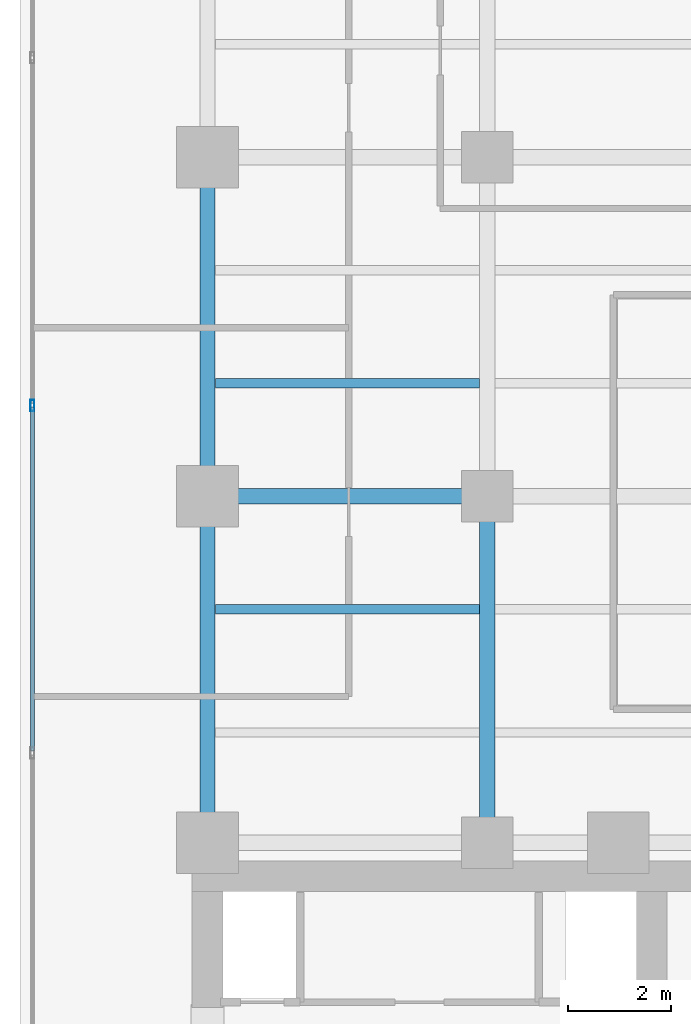
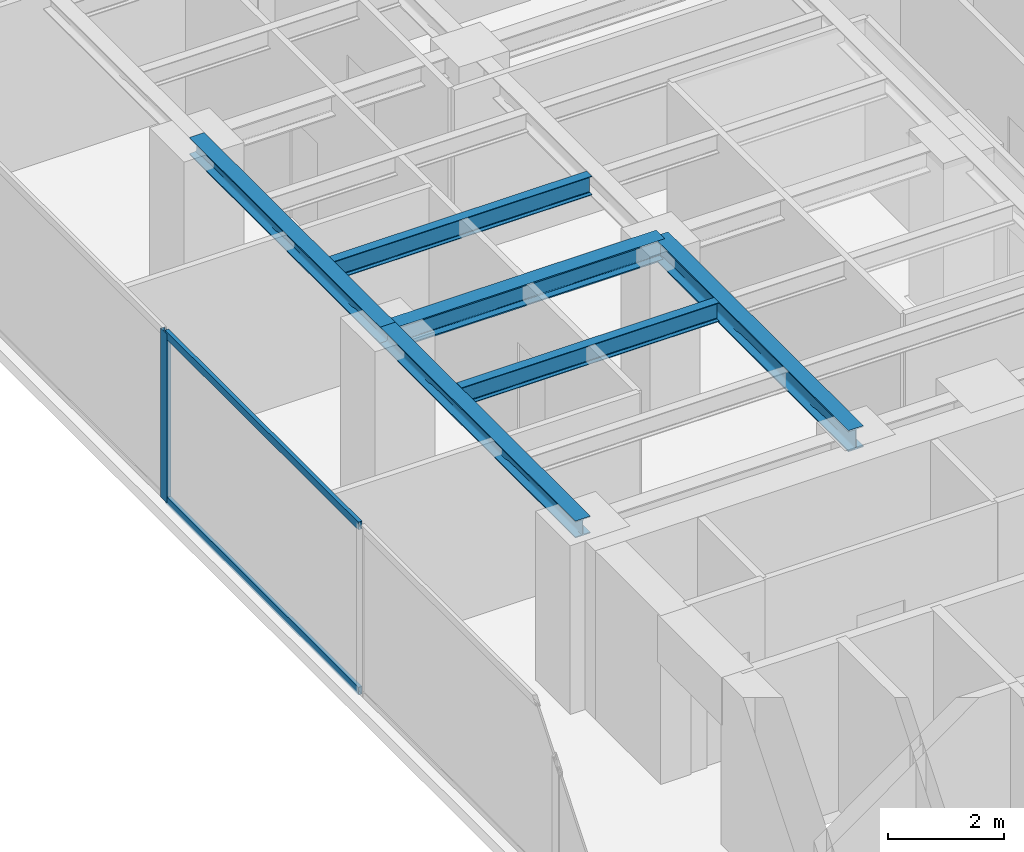
# One storey, part 7 of 24: 6 beams, 3 members, 1 element without a shape of its own.
"""IFC4 building model written with IfcOpenShell, lengths in metres."""

from ifc_helpers import new_model, si_unit, direction, frame, origin, origin_with_axes, origin_2d, place, context, subcontext, project, spatial, hollow_rectangle, i_section, extrude, source, transform, mapped, material, layer, layer_set, material_profile, profile_set, type_object, element, aggregate, save


model = new_model("IFC4")

# Units and contexts
model_context = context("Model", 3, precision=1e-05, world=origin(), true_north=direction((0.0, 1.0)))
body_context = subcontext(model_context, "Body", "Model", "MODEL_VIEW")
ifc_project = project(units=[si_unit("LENGTHUNIT", "METRE"), si_unit("AREAUNIT", "SQUARE_METRE"), si_unit("VOLUMEUNIT", "CUBIC_METRE"), si_unit("PLANEANGLEUNIT", "RADIAN"), si_unit("MASSUNIT", "GRAM", prefix="KILO")], contexts=[model_context])

# Site, building, storey
site_placement = place(None, origin())
site = spatial("IfcSite", under=ifc_project, at=site_placement, CompositionType="ELEMENT")
building_placement = place(site_placement, origin())
building = spatial("IfcBuilding", under=site, at=building_placement, Name="Kolvaren Waterfront Exchange", CompositionType="ELEMENT")
storey_placement = place(building_placement, frame((0.0, 0.0, 184.199951171875)))
storey = spatial("IfcBuildingStorey", under=building, at=storey_placement, Name="L47", CompositionType="ELEMENT", Elevation=184.199951171875)

# Beams
ifc_material_1 = material(Name="Steel S355", Category="steel")
ifc_material_profile_1 = material_profile(ifc_material_1, i_section(OverallWidth=0.300048828125, OverallDepth=0.360107421875, WebThickness=0.012451171875, FlangeThickness=0.0224609375, FilletRadius=0.027099609375, at=origin_2d()), Name="HEB360")
ifc_profile_set_1 = profile_set([ifc_material_profile_1], Name="Steel S355")
beam_type_1 = type_object("IfcBeamType", Name="STR-BM-HEB360", PredefinedType="SPANDREL", material=ifc_profile_set_1)
beam_1_placement = place(storey_placement, frame((7.449951171875, 24.449951171875, 3.380126953125), z_axis=(0.0, 1.0, 0.0), x_axis=(-1.0, 0.0, 0.0)))
element("IfcBeam", 1, at=beam_1_placement, inside=storey, type_object=beam_type_1, Name="L47 north-arm edge beam 1", PredefinedType="SPANDREL", context=body_context, shape_type="SweptSolid", body=[
    extrude(i_section(OverallWidth=0.300048828125, OverallDepth=0.360107421875, WebThickness=0.012451171875, FlangeThickness=0.0224609375, FilletRadius=0.027099609375, at=origin_2d()), origin(), (0.0, 0.0, 1.0), 6.75),
])
beam_2_placement = place(storey_placement, frame((7.449951171875, 31.199951171875, 3.380126953125), z_axis=(0.0, 1.0, 0.0), x_axis=(-1.0, 0.0, 0.0)))
element("IfcBeam", 2, at=beam_2_placement, inside=storey, type_object=beam_type_1, Name="L47 north-arm edge beam 2", PredefinedType="SPANDREL", context=body_context, shape_type="SweptSolid", body=[
    extrude(i_section(OverallWidth=0.300048828125, OverallDepth=0.360107421875, WebThickness=0.012451171875, FlangeThickness=0.0224609375, FilletRadius=0.027099609375, at=origin_2d()), origin(), (0.0, 0.0, 1.0), 6.60009765625),
])
ifc_material_profile_2 = material_profile(ifc_material_1, i_section(OverallWidth=0.300048828125, OverallDepth=0.449951171875, WebThickness=0.013916015625, FlangeThickness=0.02587890625, FilletRadius=0.027099609375, at=origin_2d()), Name="HEB450")
ifc_profile_set_2 = profile_set([ifc_material_profile_2], Name="Steel S355")
beam_type_2 = type_object("IfcBeamType", Name="STR-BM-HEB450", PredefinedType="BEAM", material=ifc_profile_set_2)
beam_3_placement = place(storey_placement, frame((7.449951171875, 31.199951171875, 3.3349609375), z_axis=(1.0, 0.0, 0.0), x_axis=(0.0, 1.0, 0.0)))
element("IfcBeam", 3, at=beam_3_placement, inside=storey, type_object=beam_type_2, Name="L47 north-arm girder 2A", PredefinedType="BEAM", context=body_context, shape_type="SweptSolid", body=[
    extrude(i_section(OverallWidth=0.300048828125, OverallDepth=0.449951171875, WebThickness=0.013916015625, FlangeThickness=0.02587890625, FilletRadius=0.027099609375, at=origin_2d()), origin(), (0.0, 0.0, 1.0), 5.449951171875),
])
beam_4_placement = place(storey_placement, frame((12.89990234375, 24.449951171875, 3.3349609375), z_axis=(0.0, 1.0, 0.0), x_axis=(-1.0, 0.0, 0.0)))
element("IfcBeam", 4, at=beam_4_placement, inside=storey, type_object=beam_type_2, Name="L47 north-arm edge beam 1", PredefinedType="BEAM", context=body_context, shape_type="SweptSolid", body=[
    extrude(i_section(OverallWidth=0.300048828125, OverallDepth=0.449951171875, WebThickness=0.013916015625, FlangeThickness=0.02587890625, FilletRadius=0.027099609375, at=origin_2d()), origin(), (0.0, 0.0, 1.0), 6.75),
])
ifc_material_profile_3 = material_profile(ifc_material_1, i_section(OverallWidth=0.179931640625, OverallDepth=0.39990234375, WebThickness=0.008544921875, FlangeThickness=0.013427734375, FilletRadius=0.02099609375, at=origin_2d()), Name="IPE400")
ifc_profile_set_3 = profile_set([ifc_material_profile_3], Name="Steel S355")
beam_type_3 = type_object("IfcBeamType", Name="STR-BM-IPE400", PredefinedType="JOIST", material=ifc_profile_set_3)
for number, where, z_axis, x_axis, name in (
    (5, (7.60205078125, 29.0, 3.360107421875), (1.0, 0.0, 0.0), (0.0, 1.0, 0.0), "L47 north-arm composite joist 2A"),
    (6, (7.60205078125, 33.39990234375, 3.360107421875), (1.0, 0.0, 0.0), (0.0, 1.0, 0.0), "L47 north-arm composite joist 3A"),
):
    element("IfcBeam", number, at=place(storey_placement, frame(where, z_axis=z_axis, x_axis=x_axis)), inside=storey, type_object=beam_type_3, Name=name, PredefinedType="JOIST", context=body_context, shape_type="SweptSolid", body=[
        extrude(i_section(OverallWidth=0.179931640625, OverallDepth=0.39990234375, WebThickness=0.008544921875, FlangeThickness=0.013427734375, FilletRadius=0.02099609375, at=origin_2d()), origin(), (0.0, 0.0, 1.0), 5.14599609375),
    ])

# Curtain wall, members
ifc_material_2 = material(Name="Anodised aluminium 6063-T6", Category="aluminium")
ifc_layer = layer(ifc_material_2, 0.219970703125, Name="Anodised aluminium 6063-T6")
ifc_layer_set = layer_set([ifc_layer], Name="Anodised aluminium 6063-T6")
curtain_wall_type = type_object("IfcCurtainWallType", Name="ARC-CW-SYS2", PredefinedType="USERDEFINED", material=ifc_layer_set)
curtain_wall_placement = place(storey_placement, origin())
curtain_wall = element("IfcCurtainWall", 7, at=curtain_wall_placement, inside=storey, type_object=curtain_wall_type, Name="L47 stick curtain wall CW2 (CW-L47-W)", ObjectType="STICK CURTAIN WALL", PredefinedType="USERDEFINED")
ifc_material_profile_4 = material_profile(ifc_material_2, hollow_rectangle(XDim=0.080078125, YDim=0.219970703125, WallThickness=0.0048828125, at=origin_2d()), Name="ALU-MUL-220x80x5")
ifc_profile_set_4 = profile_set([ifc_material_profile_4], Name="Anodised aluminium 6063-T6")
member_type_1 = type_object("IfcMemberType", Name="ARC-CWM-220", PredefinedType="MULLION", material=ifc_profile_set_4)
shared_shape_1 = source(origin_with_axes(), body_context, "Body", "SweptSolid", [
    extrude(hollow_rectangle(XDim=0.080078125, YDim=0.219970703125, WallThickness=0.0048828125, at=origin_2d()), origin(), (0.0, 0.0, 1.0), 3.56005859375),
])
member_1_placement = place(storey_placement, frame((4.0400390625, 32.966552734375, 0.0), z_axis=(0.0, 0.0, 1.0), x_axis=(-1.0, 0.0, 0.0)))
member_1 = element("IfcMember", 8, at=member_1_placement, type_object=member_type_1, Name="CW2 mullion 5", PredefinedType="MULLION", context=body_context, shape_type="MappedRepresentation", body=[
    mapped(shared_shape_1, transform((0.0, 0.0, 0.0), x_axis=(1.0, 0.0, 0.0), y_axis=(0.0, 1.0, 0.0), z_axis=(0.0, 0.0, 1.0), scale=1.0)),
])
ifc_material_profile_5 = material_profile(ifc_material_2, hollow_rectangle(XDim=0.074951171875, YDim=0.159912109375, WallThickness=0.00439453125, at=origin_2d()), Name="ALU-TRN-160x75x4.5")
ifc_profile_set_5 = profile_set([ifc_material_profile_5], Name="Anodised aluminium 6063-T6")
member_type_2 = type_object("IfcMemberType", Name="ARC-CWT-160", PredefinedType="USERDEFINED", material=ifc_profile_set_5)
shared_shape_2 = source(origin_with_axes(), body_context, "Body", "SweptSolid", [
    extrude(hollow_rectangle(XDim=0.074951171875, YDim=0.159912109375, WallThickness=0.00439453125, at=origin_2d()), origin(), (0.0, 0.0, 1.0), 6.686767578125),
])
member_2_placement = place(storey_placement, frame((4.0400390625, 26.239990234375, 0.03759765625), z_axis=(0.0, 1.0, 0.0), x_axis=(-1.0, 0.0, 0.0)))
member_2 = element("IfcMember", 9, at=member_2_placement, type_object=member_type_2, Name="CW2 transom 4.1", ObjectType="TRANSOM", PredefinedType="USERDEFINED", context=body_context, shape_type="MappedRepresentation", body=[
    mapped(shared_shape_2, transform((0.0, 0.0, 0.0), x_axis=(1.0, 0.0, 0.0), y_axis=(0.0, 1.0, 0.0), z_axis=(0.0, 0.0, 1.0), scale=1.0)),
])
member_3_placement = place(storey_placement, frame((4.0400390625, 26.239990234375, 3.5224609375), z_axis=(0.0, 1.0, 0.0), x_axis=(-1.0, 0.0, 0.0)))
member_3 = element("IfcMember", 10, at=member_3_placement, type_object=member_type_2, Name="CW2 transom 4.2", ObjectType="TRANSOM", PredefinedType="USERDEFINED", context=body_context, shape_type="MappedRepresentation", body=[
    mapped(shared_shape_2, transform((0.0, 0.0, 0.0), x_axis=(1.0, 0.0, 0.0), y_axis=(0.0, 1.0, 0.0), z_axis=(0.0, 0.0, 1.0), scale=1.0)),
])
aggregate(curtain_wall, [member_1, member_2, member_3])

save(model, "model.ifc")
